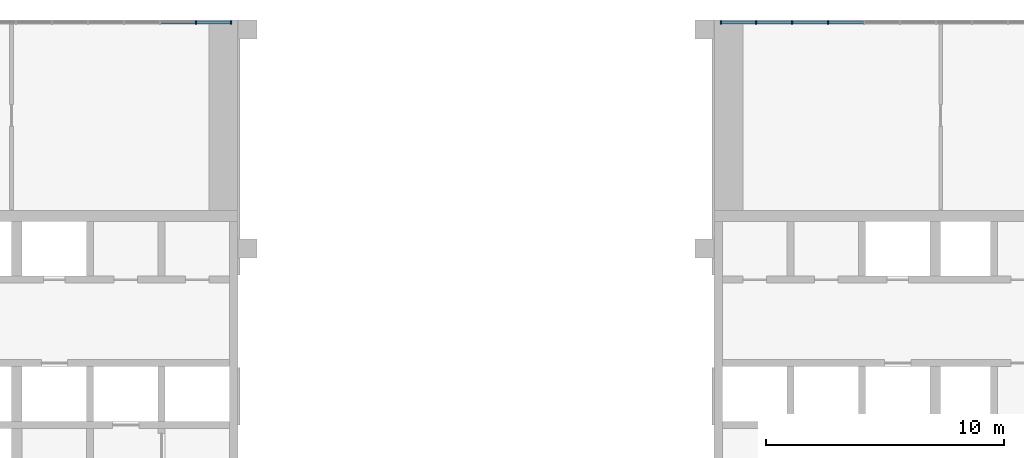
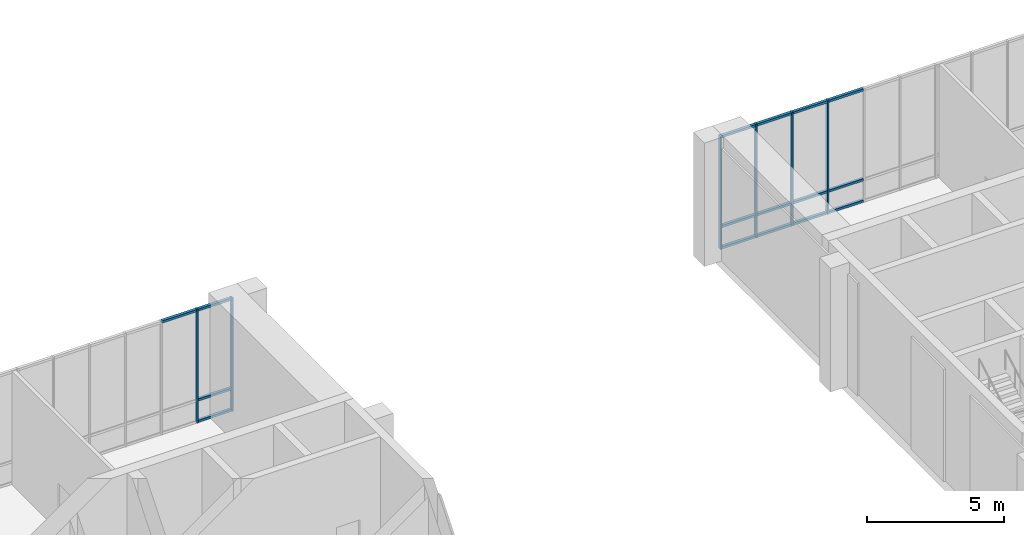
# One storey, part 9 of 28: 22 members, 2 elements without a shape of their own.
"""IFC4 building model written with IfcOpenShell, lengths in metres."""

from ifc_helpers import new_model, si_unit, direction, frame, origin, origin_2d, place, context, subcontext, project, spatial, rectangle, extrude, material, layer, layer_set, material_profile, profile_set, type_object, element, aggregate, save


model = new_model("IFC4")

# Units and contexts
model_context = context("Model", 3, precision=1e-05, world=origin(), true_north=direction((0.0, 1.0)))
body_context = subcontext(model_context, "Body", "Model", "MODEL_VIEW")
ifc_project = project(units=[si_unit("LENGTHUNIT", "METRE"), si_unit("AREAUNIT", "SQUARE_METRE"), si_unit("VOLUMEUNIT", "CUBIC_METRE"), si_unit("PLANEANGLEUNIT", "RADIAN"), si_unit("MASSUNIT", "GRAM", prefix="KILO")], contexts=[model_context])

# Site, building, storey
site_placement = place(None, origin())
site = spatial("IfcSite", under=ifc_project, at=site_placement, CompositionType="ELEMENT")
building_placement = place(site_placement, origin())
building = spatial("IfcBuilding", under=site, at=building_placement, Name="Torana Hotel and Residences", CompositionType="ELEMENT")
storey_placement = place(building_placement, frame((0.0, 0.0, 7.0)))
storey = spatial("IfcBuildingStorey", under=building, at=storey_placement, Name="L01", CompositionType="ELEMENT", Elevation=7.0)

# Curtain wall, members
ifc_material_1 = material(Name="Dark anodised aluminium", Category="aluminium")
ifc_layer = layer(ifc_material_1, 0.14990234375)
ifc_layer_set = layer_set([ifc_layer], Name="CW5 PODIUM UPPER UNITISED CURTAIN WALL")
curtain_wall_type = type_object("IfcCurtainWallType", Name="CW5 PODIUM UPPER UNITISED CURTAIN WALL", PredefinedType="NOTDEFINED", material=ifc_layer_set)
curtain_wall_1_placement = place(storey_placement, origin())
curtain_wall_1 = element("IfcCurtainWall", 1, at=curtain_wall_1_placement, inside=storey, type_object=curtain_wall_type, Name="Curtain wall CW5 L01 e0.2", PredefinedType="NOTDEFINED")
ifc_material_2 = material(Name="Dark anodised aluminium", Category="aluminium")
ifc_material_profile_1 = material_profile(ifc_material_2, rectangle(XDim=0.14990234375, YDim=0.06005859375, at=origin_2d()), Name="CW5 MULLION 60x150")
ifc_profile_set_1 = profile_set([ifc_material_profile_1], Name="Dark anodised aluminium")
member_type_1 = type_object("IfcMemberType", Name="CW5 MULLION 60x150", PredefinedType="MULLION", material=ifc_profile_set_1)
member_1_placement = place(storey_placement, frame((-10.280029296875, 7.89990234375, 0.0), z_axis=(0.0, 0.0, 1.0), x_axis=(0.0, -1.0, 0.0)))
member_1 = element("IfcMember", 2, at=member_1_placement, type_object=member_type_1, Name="CW5 mullion 1", PredefinedType="MULLION", context=body_context, shape_type="SweptSolid", body=[
    extrude(rectangle(XDim=0.14990234375, YDim=0.06005859375, at=origin_2d()), origin(), (0.0, 0.0, 1.0), 5.050048828125),
])
member_2_placement = place(storey_placement, frame((-11.7607421875, 7.89990234375, 0.0), z_axis=(0.0, 0.0, 1.0), x_axis=(0.0, -1.0, 0.0)))
member_2 = element("IfcMember", 3, at=member_2_placement, type_object=member_type_1, Name="CW5 mullion 2", PredefinedType="MULLION", context=body_context, shape_type="SweptSolid", body=[
    extrude(rectangle(XDim=0.14990234375, YDim=0.06005859375, at=origin_2d()), origin(), (0.0, 0.0, 1.0), 5.050048828125),
])

curtain_wall_2_placement = place(storey_placement, origin())
curtain_wall_2 = element("IfcCurtainWall", 4, at=curtain_wall_2_placement, inside=storey, type_object=curtain_wall_type, Name="Curtain wall CW5 L01 e1.10", PredefinedType="NOTDEFINED")
member_3_placement = place(storey_placement, frame((14.7822265625, 7.89990234375, 0.0), z_axis=(0.0, 0.0, 1.0), x_axis=(0.0, -1.0, 0.0)))
member_3 = element("IfcMember", 5, at=member_3_placement, type_object=member_type_1, Name="CW5 mullion 19", PredefinedType="MULLION", context=body_context, shape_type="SweptSolid", body=[
    extrude(rectangle(XDim=0.14990234375, YDim=0.06005859375, at=origin_2d()), origin(), (0.0, 0.0, 1.0), 5.050048828125),
])
member_4_placement = place(storey_placement, frame((13.271484375, 7.89990234375, 0.0), z_axis=(0.0, 0.0, 1.0), x_axis=(0.0, -1.0, 0.0)))
member_4 = element("IfcMember", 6, at=member_4_placement, type_object=member_type_1, Name="CW5 mullion 20", PredefinedType="MULLION", context=body_context, shape_type="SweptSolid", body=[
    extrude(rectangle(XDim=0.14990234375, YDim=0.06005859375, at=origin_2d()), origin(), (0.0, 0.0, 1.0), 5.050048828125),
])
member_5_placement = place(storey_placement, frame((11.7607421875, 7.89990234375, 0.0), z_axis=(0.0, 0.0, 1.0), x_axis=(0.0, -1.0, 0.0)))
member_5 = element("IfcMember", 7, at=member_5_placement, type_object=member_type_1, Name="CW5 mullion 21", PredefinedType="MULLION", context=body_context, shape_type="SweptSolid", body=[
    extrude(rectangle(XDim=0.14990234375, YDim=0.06005859375, at=origin_2d()), origin(), (0.0, 0.0, 1.0), 5.050048828125),
])
member_6_placement = place(storey_placement, frame((10.280029296875, 7.89990234375, 0.0), z_axis=(0.0, 0.0, 1.0), x_axis=(0.0, -1.0, 0.0)))
member_6 = element("IfcMember", 8, at=member_6_placement, type_object=member_type_1, Name="CW5 mullion 22", PredefinedType="MULLION", context=body_context, shape_type="SweptSolid", body=[
    extrude(rectangle(XDim=0.14990234375, YDim=0.06005859375, at=origin_2d()), origin(), (0.0, 0.0, 1.0), 5.050048828125),
])

# Member
ifc_material_3 = material(Name="Dark anodised aluminium", Category="aluminium")
ifc_material_profile_2 = material_profile(ifc_material_3, rectangle(XDim=0.1201171875, YDim=0.10009765625, at=origin_2d()), Name="CW5 TRANSOM 120x100")
ifc_profile_set_2 = profile_set([ifc_material_profile_2], Name="Dark anodised aluminium")
member_type_2 = type_object("IfcMemberType", Name="CW5 TRANSOM 120x100", PredefinedType="USERDEFINED", material=ifc_profile_set_2)
member_7_placement = place(storey_placement, frame((-10.31005859375, 7.89990234375, 0.050048828125), z_axis=(-1.0, 0.0, 0.0), x_axis=(0.0, -1.0, 0.0)))
member_7 = element("IfcMember", 9, at=member_7_placement, type_object=member_type_2, Name="CW5 transom 1.1", ObjectType="TRANSOM", PredefinedType="USERDEFINED", context=body_context, shape_type="SweptSolid", body=[
    extrude(rectangle(XDim=0.1201171875, YDim=0.10009765625, at=origin_2d()), origin(), (0.0, 0.0, 1.0), 1.420654296875),
])

member_8_placement = place(storey_placement, frame((-10.31005859375, 7.89990234375, 1.0), z_axis=(-1.0, 0.0, 0.0), x_axis=(0.0, -1.0, 0.0)))
member_8 = element("IfcMember", 10, at=member_8_placement, type_object=member_type_2, Name="CW5 transom 1.2", ObjectType="TRANSOM", PredefinedType="USERDEFINED", context=body_context, shape_type="SweptSolid", body=[
    extrude(rectangle(XDim=0.1201171875, YDim=0.10009765625, at=origin_2d()), origin(), (0.0, 0.0, 1.0), 1.420654296875),
])

member_9_placement = place(storey_placement, frame((-10.31005859375, 7.89990234375, 5.0), z_axis=(-1.0, 0.0, 0.0), x_axis=(0.0, -1.0, 0.0)))
member_9 = element("IfcMember", 11, at=member_9_placement, type_object=member_type_2, Name="CW5 transom 1.3", ObjectType="TRANSOM", PredefinedType="USERDEFINED", context=body_context, shape_type="SweptSolid", body=[
    extrude(rectangle(XDim=0.1201171875, YDim=0.10009765625, at=origin_2d()), origin(), (0.0, 0.0, 1.0), 1.420654296875),
])

member_10_placement = place(storey_placement, frame((-11.790771484375, 7.89990234375, 5.0), z_axis=(-1.0, 0.0, 0.0), x_axis=(0.0, -1.0, 0.0)))
member_10 = element("IfcMember", 12, at=member_10_placement, type_object=member_type_2, Name="CW5 transom 2.3", ObjectType="TRANSOM", PredefinedType="USERDEFINED", context=body_context, shape_type="SweptSolid", body=[
    extrude(rectangle(XDim=0.1201171875, YDim=0.10009765625, at=origin_2d()), origin(), (0.0, 0.0, 1.0), 1.45068359375),
])

aggregate(curtain_wall_1, [member_1, member_2, member_7, member_8, member_9, member_10])

member_11_placement = place(storey_placement, frame((16.262939453125, 7.89990234375, 0.050048828125), z_axis=(-1.0, 0.0, 0.0), x_axis=(0.0, -1.0, 0.0)))
member_11 = element("IfcMember", 13, at=member_11_placement, type_object=member_type_2, Name="CW5 transom 18.1", ObjectType="TRANSOM", PredefinedType="USERDEFINED", context=body_context, shape_type="SweptSolid", body=[
    extrude(rectangle(XDim=0.1201171875, YDim=0.10009765625, at=origin_2d()), origin(), (0.0, 0.0, 1.0), 1.45068359375),
])

member_12_placement = place(storey_placement, frame((16.262939453125, 7.89990234375, 1.0), z_axis=(-1.0, 0.0, 0.0), x_axis=(0.0, -1.0, 0.0)))
member_12 = element("IfcMember", 14, at=member_12_placement, type_object=member_type_2, Name="CW5 transom 18.2", ObjectType="TRANSOM", PredefinedType="USERDEFINED", context=body_context, shape_type="SweptSolid", body=[
    extrude(rectangle(XDim=0.1201171875, YDim=0.10009765625, at=origin_2d()), origin(), (0.0, 0.0, 1.0), 1.45068359375),
])

member_13_placement = place(storey_placement, frame((16.262939453125, 7.89990234375, 5.0), z_axis=(-1.0, 0.0, 0.0), x_axis=(0.0, -1.0, 0.0)))
member_13 = element("IfcMember", 15, at=member_13_placement, type_object=member_type_2, Name="CW5 transom 18.3", ObjectType="TRANSOM", PredefinedType="USERDEFINED", context=body_context, shape_type="SweptSolid", body=[
    extrude(rectangle(XDim=0.1201171875, YDim=0.10009765625, at=origin_2d()), origin(), (0.0, 0.0, 1.0), 1.45068359375),
])

member_14_placement = place(storey_placement, frame((14.752197265625, 7.89990234375, 0.050048828125), z_axis=(-1.0, 0.0, 0.0), x_axis=(0.0, -1.0, 0.0)))
member_14 = element("IfcMember", 16, at=member_14_placement, type_object=member_type_2, Name="CW5 transom 19.1", ObjectType="TRANSOM", PredefinedType="USERDEFINED", context=body_context, shape_type="SweptSolid", body=[
    extrude(rectangle(XDim=0.1201171875, YDim=0.10009765625, at=origin_2d()), origin(), (0.0, 0.0, 1.0), 1.45068359375),
])

member_15_placement = place(storey_placement, frame((14.752197265625, 7.89990234375, 1.0), z_axis=(-1.0, 0.0, 0.0), x_axis=(0.0, -1.0, 0.0)))
member_15 = element("IfcMember", 17, at=member_15_placement, type_object=member_type_2, Name="CW5 transom 19.2", ObjectType="TRANSOM", PredefinedType="USERDEFINED", context=body_context, shape_type="SweptSolid", body=[
    extrude(rectangle(XDim=0.1201171875, YDim=0.10009765625, at=origin_2d()), origin(), (0.0, 0.0, 1.0), 1.45068359375),
])

member_16_placement = place(storey_placement, frame((14.752197265625, 7.89990234375, 5.0), z_axis=(-1.0, 0.0, 0.0), x_axis=(0.0, -1.0, 0.0)))
member_16 = element("IfcMember", 18, at=member_16_placement, type_object=member_type_2, Name="CW5 transom 19.3", ObjectType="TRANSOM", PredefinedType="USERDEFINED", context=body_context, shape_type="SweptSolid", body=[
    extrude(rectangle(XDim=0.1201171875, YDim=0.10009765625, at=origin_2d()), origin(), (0.0, 0.0, 1.0), 1.45068359375),
])

member_17_placement = place(storey_placement, frame((13.241455078125, 7.89990234375, 0.050048828125), z_axis=(-1.0, 0.0, 0.0), x_axis=(0.0, -1.0, 0.0)))
member_17 = element("IfcMember", 19, at=member_17_placement, type_object=member_type_2, Name="CW5 transom 20.1", ObjectType="TRANSOM", PredefinedType="USERDEFINED", context=body_context, shape_type="SweptSolid", body=[
    extrude(rectangle(XDim=0.1201171875, YDim=0.10009765625, at=origin_2d()), origin(), (0.0, 0.0, 1.0), 1.45068359375),
])

member_18_placement = place(storey_placement, frame((13.241455078125, 7.89990234375, 1.0), z_axis=(-1.0, 0.0, 0.0), x_axis=(0.0, -1.0, 0.0)))
member_18 = element("IfcMember", 20, at=member_18_placement, type_object=member_type_2, Name="CW5 transom 20.2", ObjectType="TRANSOM", PredefinedType="USERDEFINED", context=body_context, shape_type="SweptSolid", body=[
    extrude(rectangle(XDim=0.1201171875, YDim=0.10009765625, at=origin_2d()), origin(), (0.0, 0.0, 1.0), 1.45068359375),
])

member_19_placement = place(storey_placement, frame((13.241455078125, 7.89990234375, 5.0), z_axis=(-1.0, 0.0, 0.0), x_axis=(0.0, -1.0, 0.0)))
member_19 = element("IfcMember", 21, at=member_19_placement, type_object=member_type_2, Name="CW5 transom 20.3", ObjectType="TRANSOM", PredefinedType="USERDEFINED", context=body_context, shape_type="SweptSolid", body=[
    extrude(rectangle(XDim=0.1201171875, YDim=0.10009765625, at=origin_2d()), origin(), (0.0, 0.0, 1.0), 1.45068359375),
])

member_20_placement = place(storey_placement, frame((11.730712890625, 7.89990234375, 0.050048828125), z_axis=(-1.0, 0.0, 0.0), x_axis=(0.0, -1.0, 0.0)))
member_20 = element("IfcMember", 22, at=member_20_placement, type_object=member_type_2, Name="CW5 transom 21.1", ObjectType="TRANSOM", PredefinedType="USERDEFINED", context=body_context, shape_type="SweptSolid", body=[
    extrude(rectangle(XDim=0.1201171875, YDim=0.10009765625, at=origin_2d()), origin(), (0.0, 0.0, 1.0), 1.420654296875),
])

member_21_placement = place(storey_placement, frame((11.730712890625, 7.89990234375, 1.0), z_axis=(-1.0, 0.0, 0.0), x_axis=(0.0, -1.0, 0.0)))
member_21 = element("IfcMember", 23, at=member_21_placement, type_object=member_type_2, Name="CW5 transom 21.2", ObjectType="TRANSOM", PredefinedType="USERDEFINED", context=body_context, shape_type="SweptSolid", body=[
    extrude(rectangle(XDim=0.1201171875, YDim=0.10009765625, at=origin_2d()), origin(), (0.0, 0.0, 1.0), 1.420654296875),
])

member_22_placement = place(storey_placement, frame((11.730712890625, 7.89990234375, 5.0), z_axis=(-1.0, 0.0, 0.0), x_axis=(0.0, -1.0, 0.0)))
member_22 = element("IfcMember", 24, at=member_22_placement, type_object=member_type_2, Name="CW5 transom 21.3", ObjectType="TRANSOM", PredefinedType="USERDEFINED", context=body_context, shape_type="SweptSolid", body=[
    extrude(rectangle(XDim=0.1201171875, YDim=0.10009765625, at=origin_2d()), origin(), (0.0, 0.0, 1.0), 1.420654296875),
])

aggregate(curtain_wall_2, [member_3, member_4, member_5, member_6, member_11, member_12, member_13, member_14, member_15, member_16, member_17, member_18, member_19, member_20, member_21, member_22])

save(model, "model.ifc")
